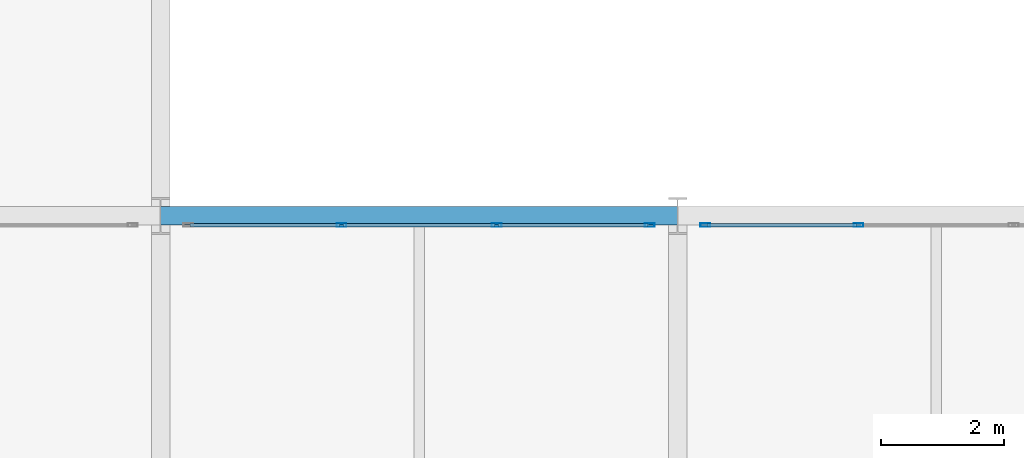
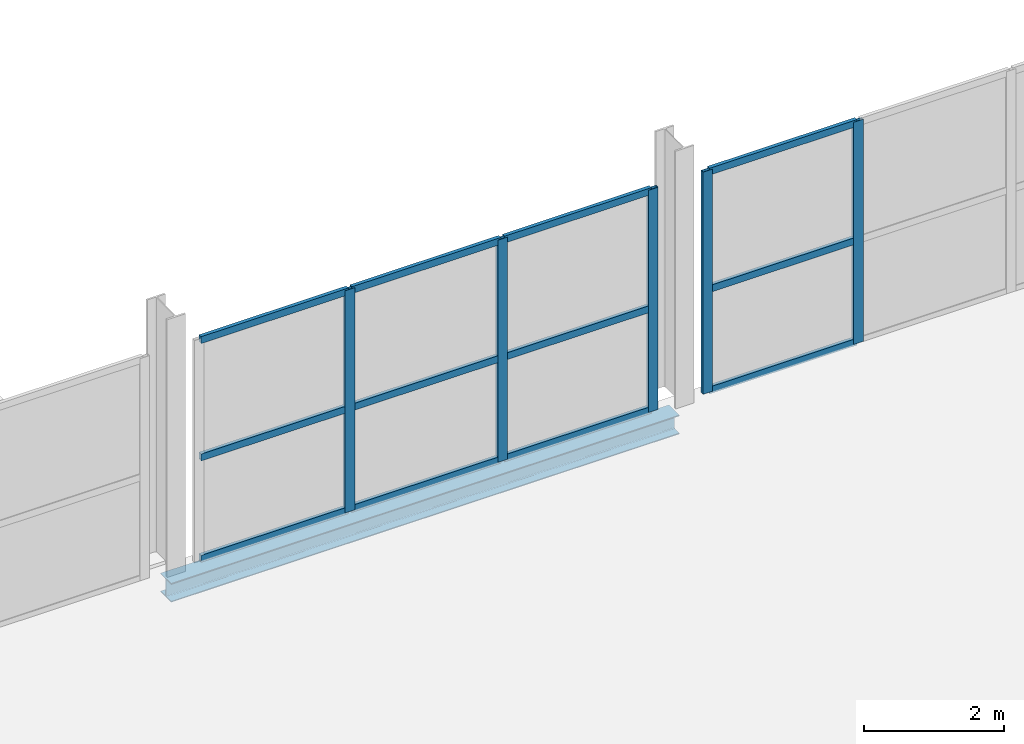
# One storey, part 78 of 130: 17 members, 1 beam, 2 elements without a shape of their own.
"""IFC4 building model written with IfcOpenShell, lengths in metres."""

from ifc_helpers import new_model, si_unit, direction, frame, origin, origin_2d, place, context, subcontext, project, spatial, hollow_rectangle, i_section, extrude, material, material_profile, profile_set, type_object, element, aggregate, save


model = new_model("IFC4")

# Units and contexts
model_context = context("Model", 3, precision=1e-05, world=origin(), true_north=direction((0.0, 1.0)))
body_context = subcontext(model_context, "Body", "Model", "MODEL_VIEW")
ifc_project = project(units=[si_unit("LENGTHUNIT", "METRE"), si_unit("AREAUNIT", "SQUARE_METRE"), si_unit("VOLUMEUNIT", "CUBIC_METRE"), si_unit("PLANEANGLEUNIT", "RADIAN"), si_unit("MASSUNIT", "GRAM", prefix="KILO")], contexts=[model_context])

# Site, building, storey
site_placement = place(None, origin())
site = spatial("IfcSite", under=ifc_project, at=site_placement, CompositionType="ELEMENT")
building_placement = place(site_placement, origin())
building = spatial("IfcBuilding", under=site, at=building_placement, Name="Veltarok Museum of Natural Sciences", CompositionType="ELEMENT")
storey_placement = place(building_placement, frame((0.0, 0.0, 12.89990234375)))
storey = spatial("IfcBuildingStorey", under=building, at=storey_placement, Name="L02", CompositionType="ELEMENT", Elevation=12.89990234375)

# Curtain wall, members
ifc_material_1 = material(Name="Low-iron triple insulated glass", Category="glass")
curtain_wall_type_1 = type_object("IfcCurtainWallType", Name="Curtain Wall System CW-V2N-L02-10-756x388 (V2 North Hall L02 10-11 756x388cm)", PredefinedType="NOTDEFINED", material=ifc_material_1)
curtain_wall_1_placement = place(storey_placement, origin())
curtain_wall_1 = element("IfcCurtainWall", 1, at=curtain_wall_1_placement, inside=storey, type_object=curtain_wall_type_1, Name="Curtain Wall CW-V2N-L02-10-756x388 CW-0053", PredefinedType="NOTDEFINED")
ifc_material_2 = material(Name="Thermally broken anodised aluminium", Category="aluminium")
ifc_material_profile_1 = material_profile(ifc_material_2, hollow_rectangle(XDim=0.06005859375, YDim=0.1201171875, WallThickness=0.0048828125, at=origin_2d()), Name="CW TRANSOM 60x120x5")
ifc_profile_set_1 = profile_set([ifc_material_profile_1], Name="Thermally broken anodised aluminium")
member_type_1 = type_object("IfcMemberType", Name="Curtain Wall Horizontal Transom 60x120x5", PredefinedType="USERDEFINED", material=ifc_profile_set_1)
member_1_placement = place(storey_placement, frame((89.919921875, 71.85009765625, 0.030029296875), z_axis=(-1.0, 0.0, 0.0), x_axis=(0.0, -1.0, 0.0)))
member_1 = element("IfcMember", 2, at=member_1_placement, type_object=member_type_1, Name="CW-V2N-L02-10-756x388 transom 1.1", ObjectType="TRANSOM", PredefinedType="USERDEFINED", context=body_context, shape_type="SweptSolid", body=[
    extrude(hollow_rectangle(XDim=0.06005859375, YDim=0.1201171875, WallThickness=0.0048828125, at=origin_2d()), origin(), (0.0, 0.0, 1.0), 2.429931640625),
])
member_2_placement = place(storey_placement, frame((89.919921875, 71.85009765625, 1.800048828125), z_axis=(-1.0, 0.0, 0.0), x_axis=(0.0, -1.0, 0.0)))
member_2 = element("IfcMember", 3, at=member_2_placement, type_object=member_type_1, Name="CW-V2N-L02-10-756x388 transom 1.2", ObjectType="TRANSOM", PredefinedType="USERDEFINED", context=body_context, shape_type="SweptSolid", body=[
    extrude(hollow_rectangle(XDim=0.06005859375, YDim=0.1201171875, WallThickness=0.0048828125, at=origin_2d()), origin(), (0.0, 0.0, 1.0), 2.429931640625),
])
member_3_placement = place(storey_placement, frame((89.919921875, 71.85009765625, 3.85009765625), z_axis=(-1.0, 0.0, 0.0), x_axis=(0.0, -1.0, 0.0)))
member_3 = element("IfcMember", 4, at=member_3_placement, type_object=member_type_1, Name="CW-V2N-L02-10-756x388 transom 1.3", ObjectType="TRANSOM", PredefinedType="USERDEFINED", context=body_context, shape_type="SweptSolid", body=[
    extrude(hollow_rectangle(XDim=0.06005859375, YDim=0.1201171875, WallThickness=0.0048828125, at=origin_2d()), origin(), (0.0, 0.0, 1.0), 2.429931640625),
])
member_4_placement = place(storey_placement, frame((87.429931640625, 71.85009765625, 0.030029296875), z_axis=(-1.0, 0.0, 0.0), x_axis=(0.0, -1.0, 0.0)))
member_4 = element("IfcMember", 5, at=member_4_placement, type_object=member_type_1, Name="CW-V2N-L02-10-756x388 transom 2.1", ObjectType="TRANSOM", PredefinedType="USERDEFINED", context=body_context, shape_type="SweptSolid", body=[
    extrude(hollow_rectangle(XDim=0.06005859375, YDim=0.1201171875, WallThickness=0.0048828125, at=origin_2d()), origin(), (0.0, 0.0, 1.0), 2.4599609375),
])
member_5_placement = place(storey_placement, frame((87.429931640625, 71.85009765625, 1.800048828125), z_axis=(-1.0, 0.0, 0.0), x_axis=(0.0, -1.0, 0.0)))
member_5 = element("IfcMember", 6, at=member_5_placement, type_object=member_type_1, Name="CW-V2N-L02-10-756x388 transom 2.2", ObjectType="TRANSOM", PredefinedType="USERDEFINED", context=body_context, shape_type="SweptSolid", body=[
    extrude(hollow_rectangle(XDim=0.06005859375, YDim=0.1201171875, WallThickness=0.0048828125, at=origin_2d()), origin(), (0.0, 0.0, 1.0), 2.4599609375),
])
member_6_placement = place(storey_placement, frame((87.429931640625, 71.85009765625, 3.85009765625), z_axis=(-1.0, 0.0, 0.0), x_axis=(0.0, -1.0, 0.0)))
member_6 = element("IfcMember", 7, at=member_6_placement, type_object=member_type_1, Name="CW-V2N-L02-10-756x388 transom 2.3", ObjectType="TRANSOM", PredefinedType="USERDEFINED", context=body_context, shape_type="SweptSolid", body=[
    extrude(hollow_rectangle(XDim=0.06005859375, YDim=0.1201171875, WallThickness=0.0048828125, at=origin_2d()), origin(), (0.0, 0.0, 1.0), 2.4599609375),
])
member_7_placement = place(storey_placement, frame((84.909912109375, 71.85009765625, 0.030029296875), z_axis=(-1.0, 0.0, 0.0), x_axis=(0.0, -1.0, 0.0)))
member_7 = element("IfcMember", 8, at=member_7_placement, type_object=member_type_1, Name="CW-V2N-L02-10-756x388 transom 3.1", ObjectType="TRANSOM", PredefinedType="USERDEFINED", context=body_context, shape_type="SweptSolid", body=[
    extrude(hollow_rectangle(XDim=0.06005859375, YDim=0.1201171875, WallThickness=0.0048828125, at=origin_2d()), origin(), (0.0, 0.0, 1.0), 2.429931640625),
])
member_8_placement = place(storey_placement, frame((84.909912109375, 71.85009765625, 1.800048828125), z_axis=(-1.0, 0.0, 0.0), x_axis=(0.0, -1.0, 0.0)))
member_8 = element("IfcMember", 9, at=member_8_placement, type_object=member_type_1, Name="CW-V2N-L02-10-756x388 transom 3.2", ObjectType="TRANSOM", PredefinedType="USERDEFINED", context=body_context, shape_type="SweptSolid", body=[
    extrude(hollow_rectangle(XDim=0.06005859375, YDim=0.1201171875, WallThickness=0.0048828125, at=origin_2d()), origin(), (0.0, 0.0, 1.0), 2.429931640625),
])
member_9_placement = place(storey_placement, frame((84.909912109375, 71.85009765625, 3.85009765625), z_axis=(-1.0, 0.0, 0.0), x_axis=(0.0, -1.0, 0.0)))
member_9 = element("IfcMember", 10, at=member_9_placement, type_object=member_type_1, Name="CW-V2N-L02-10-756x388 transom 3.3", ObjectType="TRANSOM", PredefinedType="USERDEFINED", context=body_context, shape_type="SweptSolid", body=[
    extrude(hollow_rectangle(XDim=0.06005859375, YDim=0.1201171875, WallThickness=0.0048828125, at=origin_2d()), origin(), (0.0, 0.0, 1.0), 2.429931640625),
])

curtain_wall_type_2 = type_object("IfcCurtainWallType", Name="Curtain Wall System CW-V2N-L02-11-756x388 (V2 North Hall L02 11-12 756x388cm)", PredefinedType="NOTDEFINED", material=ifc_material_1)
curtain_wall_2_placement = place(storey_placement, origin())
curtain_wall_2 = element("IfcCurtainWall", 11, at=curtain_wall_2_placement, inside=storey, type_object=curtain_wall_type_2, Name="Curtain Wall CW-V2N-L02-11-756x388 CW-0054", PredefinedType="NOTDEFINED")
member_10_placement = place(storey_placement, frame((93.31005859375, 71.85009765625, 0.030029296875), z_axis=(-1.0, 0.0, 0.0), x_axis=(0.0, -1.0, 0.0)))
member_10 = element("IfcMember", 12, at=member_10_placement, type_object=member_type_1, Name="CW-V2N-L02-11-756x388 transom 3.1", ObjectType="TRANSOM", PredefinedType="USERDEFINED", context=body_context, shape_type="SweptSolid", body=[
    extrude(hollow_rectangle(XDim=0.06005859375, YDim=0.1201171875, WallThickness=0.0048828125, at=origin_2d()), origin(), (0.0, 0.0, 1.0), 2.43017578125),
])
member_11_placement = place(storey_placement, frame((93.31005859375, 71.85009765625, 1.800048828125), z_axis=(-1.0, 0.0, 0.0), x_axis=(0.0, -1.0, 0.0)))
member_11 = element("IfcMember", 13, at=member_11_placement, type_object=member_type_1, Name="CW-V2N-L02-11-756x388 transom 3.2", ObjectType="TRANSOM", PredefinedType="USERDEFINED", context=body_context, shape_type="SweptSolid", body=[
    extrude(hollow_rectangle(XDim=0.06005859375, YDim=0.1201171875, WallThickness=0.0048828125, at=origin_2d()), origin(), (0.0, 0.0, 1.0), 2.43017578125),
])
member_12_placement = place(storey_placement, frame((93.31005859375, 71.85009765625, 3.85009765625), z_axis=(-1.0, 0.0, 0.0), x_axis=(0.0, -1.0, 0.0)))
member_12 = element("IfcMember", 14, at=member_12_placement, type_object=member_type_1, Name="CW-V2N-L02-11-756x388 transom 3.3", ObjectType="TRANSOM", PredefinedType="USERDEFINED", context=body_context, shape_type="SweptSolid", body=[
    extrude(hollow_rectangle(XDim=0.06005859375, YDim=0.1201171875, WallThickness=0.0048828125, at=origin_2d()), origin(), (0.0, 0.0, 1.0), 2.43017578125),
])

# Member
ifc_material_profile_2 = material_profile(ifc_material_2, hollow_rectangle(XDim=0.06005859375, YDim=0.159912109375, WallThickness=0.0048828125, at=origin_2d()), Name="CW MULLION 60x160x5")
ifc_profile_set_2 = profile_set([ifc_material_profile_2], Name="Thermally broken anodised aluminium")
member_type_2 = type_object("IfcMemberType", Name="Curtain Wall Vertical Mullion 60x160x5", PredefinedType="MULLION", material=ifc_profile_set_2)
member_13_placement = place(storey_placement, frame((89.949951171875, 71.85009765625, 0.0), z_axis=(0.0, 0.0, 1.0), x_axis=(0.0, -1.0, 0.0)))
member_13 = element("IfcMember", 15, at=member_13_placement, type_object=member_type_2, Name="CW-V2N-L02-10-756x388 mullion 1", PredefinedType="MULLION", context=body_context, shape_type="SweptSolid", body=[
    extrude(hollow_rectangle(XDim=0.06005859375, YDim=0.159912109375, WallThickness=0.0048828125, at=origin_2d()), origin(), (0.0, 0.0, 1.0), 3.880126953125),
])

member_14_placement = place(storey_placement, frame((87.4599609375, 71.85009765625, 0.0), z_axis=(0.0, 0.0, 1.0), x_axis=(0.0, -1.0, 0.0)))
member_14 = element("IfcMember", 16, at=member_14_placement, type_object=member_type_2, Name="CW-V2N-L02-10-756x388 mullion 2", PredefinedType="MULLION", context=body_context, shape_type="SweptSolid", body=[
    extrude(hollow_rectangle(XDim=0.06005859375, YDim=0.159912109375, WallThickness=0.0048828125, at=origin_2d()), origin(), (0.0, 0.0, 1.0), 3.880126953125),
])

member_15_placement = place(storey_placement, frame((84.93994140625, 71.85009765625, 0.0), z_axis=(0.0, 0.0, 1.0), x_axis=(0.0, -1.0, 0.0)))
member_15 = element("IfcMember", 17, at=member_15_placement, type_object=member_type_2, Name="CW-V2N-L02-10-756x388 mullion 3", PredefinedType="MULLION", context=body_context, shape_type="SweptSolid", body=[
    extrude(hollow_rectangle(XDim=0.06005859375, YDim=0.159912109375, WallThickness=0.0048828125, at=origin_2d()), origin(), (0.0, 0.0, 1.0), 3.880126953125),
])

aggregate(curtain_wall_1, [member_13, member_14, member_15, member_1, member_2, member_3, member_4, member_5, member_6, member_7, member_8, member_9])

member_16_placement = place(storey_placement, frame((93.340087890625, 71.85009765625, 0.0), z_axis=(0.0, 0.0, 1.0), x_axis=(0.0, -1.0, 0.0)))
member_16 = element("IfcMember", 18, at=member_16_placement, type_object=member_type_2, Name="CW-V2N-L02-11-756x388 mullion 3", PredefinedType="MULLION", context=body_context, shape_type="SweptSolid", body=[
    extrude(hollow_rectangle(XDim=0.06005859375, YDim=0.159912109375, WallThickness=0.0048828125, at=origin_2d()), origin(), (0.0, 0.0, 1.0), 3.880126953125),
])

member_17_placement = place(storey_placement, frame((90.85009765625, 71.85009765625, 0.0), z_axis=(0.0, 0.0, 1.0), x_axis=(0.0, -1.0, 0.0)))
member_17 = element("IfcMember", 19, at=member_17_placement, type_object=member_type_2, Name="CW-V2N-L02-11-756x388 mullion 4", PredefinedType="MULLION", context=body_context, shape_type="SweptSolid", body=[
    extrude(hollow_rectangle(XDim=0.06005859375, YDim=0.159912109375, WallThickness=0.0048828125, at=origin_2d()), origin(), (0.0, 0.0, 1.0), 3.880126953125),
])

aggregate(curtain_wall_2, [member_16, member_17, member_10, member_11, member_12])

# Beam
ifc_material_3 = material(Name="Steel S355J2", Category="steel")
ifc_material_profile_3 = material_profile(ifc_material_3, i_section(OverallWidth=0.300048828125, OverallDepth=0.330078125, WebThickness=0.009521484375, FlangeThickness=0.0166015625, FilletRadius=0.027099609375, at=origin_2d()), Name="HEA 340")
ifc_profile_set_3 = profile_set([ifc_material_profile_3], Name="Steel S355J2")
beam_type = type_object("IfcBeamType", Name="Perimeter Upper Spandrel HEA 340", PredefinedType="SPANDREL", material=ifc_profile_set_3)
beam_placement = place(storey_placement, frame((82.0, 72.0, -0.414794921875), z_axis=(1.0, 0.0, 0.0), x_axis=(0.0, 1.0, 0.0)))
element("IfcBeam", 20, at=beam_placement, inside=storey, type_object=beam_type, Name="Beam BM-SP05 L02 10-11/H", PredefinedType="SPANDREL", context=body_context, shape_type="SweptSolid", body=[
    extrude(i_section(OverallWidth=0.300048828125, OverallDepth=0.330078125, WebThickness=0.009521484375, FlangeThickness=0.0166015625, FilletRadius=0.027099609375, at=origin_2d()), origin(), (0.0, 0.0, 1.0), 8.39990234375),
])

save(model, "model.ifc")
